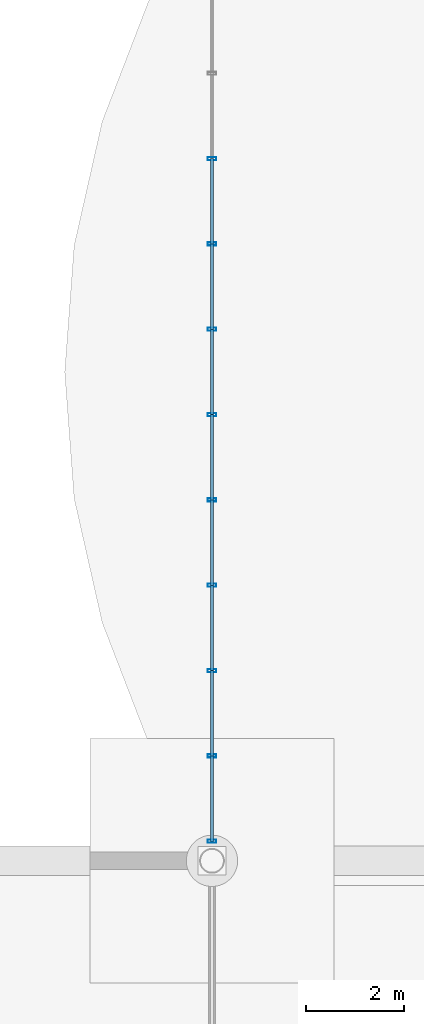
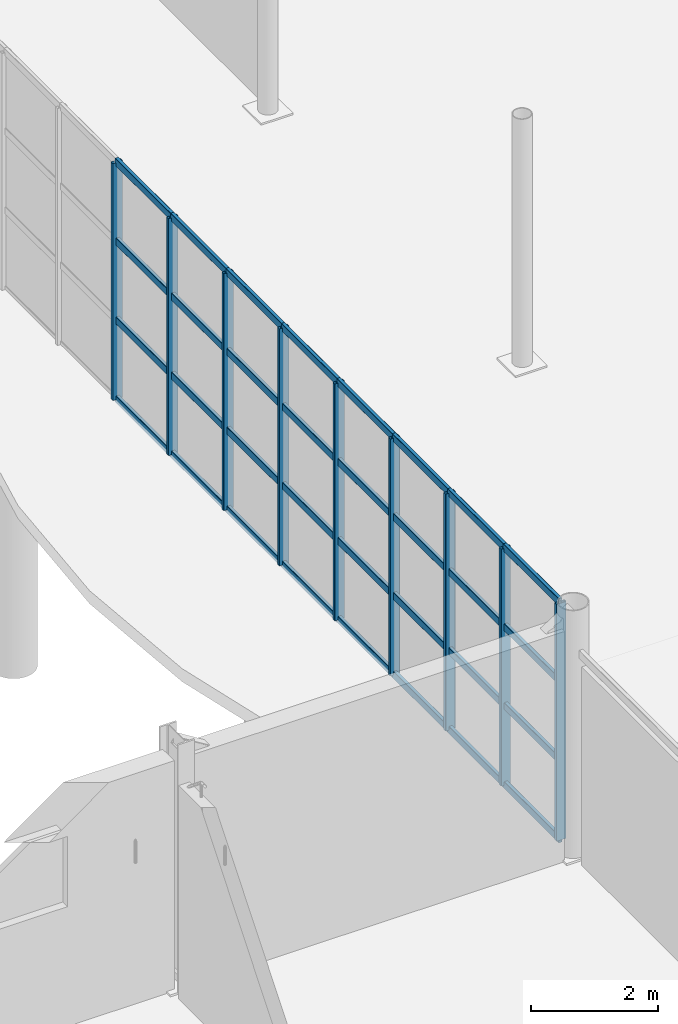
# One storey, part 36 of 101: 41 members, 1 element without a shape of its own.
"""IFC4 building model written with IfcOpenShell, lengths in metres."""

from ifc_helpers import new_model, si_unit, derived_unit, direction, frame, origin, origin_2d, place, context, subcontext, project, spatial, hollow_rectangle, extrude, material, material_profile, profile_set, type_object, element, aggregate, save


model = new_model("IFC4")

# Units and contexts
model_context = context("Model", 3, precision=1e-05, world=origin(), true_north=direction((0.0, 1.0)))
body_context = subcontext(model_context, "Body", "Model", "MODEL_VIEW")
ifc_project = project(units=[si_unit("LENGTHUNIT", "METRE"), si_unit("AREAUNIT", "SQUARE_METRE"), si_unit("VOLUMEUNIT", "CUBIC_METRE"), si_unit("PLANEANGLEUNIT", "RADIAN"), si_unit("MASSUNIT", "GRAM", prefix="KILO"), derived_unit("THERMALTRANSMITTANCEUNIT", [(si_unit("POWERUNIT", "WATT"), 1), (si_unit("LENGTHUNIT", "METRE"), -2), (si_unit("THERMODYNAMICTEMPERATUREUNIT", "KELVIN"), -1)])], contexts=[model_context])

# Site, building, storey
site_placement = place(None, origin())
site = spatial("IfcSite", under=ifc_project, at=site_placement, CompositionType="ELEMENT")
building_placement = place(site_placement, origin())
building = spatial("IfcBuilding", under=site, at=building_placement, Name="Keldorne Ridge Multi-Sports Centre", CompositionType="ELEMENT")
storey_placement = place(building_placement, origin())
storey = spatial("IfcBuildingStorey", under=building, at=storey_placement, Name="L00", CompositionType="ELEMENT", Elevation=0.0)

# Curtain wall, members
ifc_material = material(Name="Anodized aluminium", Category="aluminium")
curtain_wall_type = type_object("IfcCurtainWallType", Name="CW-CW-03", PredefinedType="NOTDEFINED", material=ifc_material)
curtain_wall_placement = place(storey_placement, origin())
curtain_wall = element("IfcCurtainWall", 1, at=curtain_wall_placement, inside=storey, type_object=curtain_wall_type, Name="Passage west courtyard curtain wall L00 083", PredefinedType="NOTDEFINED")
ifc_material_profile_1 = material_profile(ifc_material, hollow_rectangle(XDim=0.06494140625, YDim=0.179931640625, WallThickness=0.00439453125, InnerFilletRadius=0.00439453125, OuterFilletRadius=0.009033203125, at=origin_2d()), Name="ALU MULLION 180x65x4.5")
ifc_profile_set_1 = profile_set([ifc_material_profile_1], Name="Anodized aluminium")
member_type_1 = type_object("IfcMemberType", Name="MEM-ML-01", PredefinedType="MULLION", material=ifc_profile_set_1)
member_1_placement = place(storey_placement, frame((78.0, 68.363525390625, 0.0), z_axis=(0.0, 0.0, 1.0), x_axis=(0.0, 1.0, 0.0)))
member_1 = element("IfcMember", 2, at=member_1_placement, type_object=member_type_1, Name="CW-083 vertical mullion 4", PredefinedType="MULLION", context=body_context, shape_type="SweptSolid", body=[
    extrude(hollow_rectangle(XDim=0.06494140625, YDim=0.179931640625, WallThickness=0.00439453125, InnerFilletRadius=0.00439453125, OuterFilletRadius=0.009033203125, at=origin_2d()), origin(), (0.0, 0.0, 1.0), 4.550048828125),
])
member_2_placement = place(storey_placement, frame((78.0, 66.6181640625, 0.0), z_axis=(0.0, 0.0, 1.0), x_axis=(0.0, 1.0, 0.0)))
member_2 = element("IfcMember", 3, at=member_2_placement, type_object=member_type_1, Name="CW-083 vertical mullion 5", PredefinedType="MULLION", context=body_context, shape_type="SweptSolid", body=[
    extrude(hollow_rectangle(XDim=0.06494140625, YDim=0.179931640625, WallThickness=0.00439453125, InnerFilletRadius=0.00439453125, OuterFilletRadius=0.009033203125, at=origin_2d()), origin(), (0.0, 0.0, 1.0), 4.550048828125),
])
member_3_placement = place(storey_placement, frame((78.0, 64.872802734375, 0.0), z_axis=(0.0, 0.0, 1.0), x_axis=(0.0, 1.0, 0.0)))
member_3 = element("IfcMember", 4, at=member_3_placement, type_object=member_type_1, Name="CW-083 vertical mullion 6", PredefinedType="MULLION", context=body_context, shape_type="SweptSolid", body=[
    extrude(hollow_rectangle(XDim=0.06494140625, YDim=0.179931640625, WallThickness=0.00439453125, InnerFilletRadius=0.00439453125, OuterFilletRadius=0.009033203125, at=origin_2d()), origin(), (0.0, 0.0, 1.0), 4.550048828125),
])
member_4_placement = place(storey_placement, frame((78.0, 63.127197265625, 0.0), z_axis=(0.0, 0.0, 1.0), x_axis=(0.0, 1.0, 0.0)))
member_4 = element("IfcMember", 5, at=member_4_placement, type_object=member_type_1, Name="CW-083 vertical mullion 7", PredefinedType="MULLION", context=body_context, shape_type="SweptSolid", body=[
    extrude(hollow_rectangle(XDim=0.06494140625, YDim=0.179931640625, WallThickness=0.00439453125, InnerFilletRadius=0.00439453125, OuterFilletRadius=0.009033203125, at=origin_2d()), origin(), (0.0, 0.0, 1.0), 4.550048828125),
])
member_5_placement = place(storey_placement, frame((78.0, 61.3818359375, 0.0), z_axis=(0.0, 0.0, 1.0), x_axis=(0.0, 1.0, 0.0)))
member_5 = element("IfcMember", 6, at=member_5_placement, type_object=member_type_1, Name="CW-083 vertical mullion 8", PredefinedType="MULLION", context=body_context, shape_type="SweptSolid", body=[
    extrude(hollow_rectangle(XDim=0.06494140625, YDim=0.179931640625, WallThickness=0.00439453125, InnerFilletRadius=0.00439453125, OuterFilletRadius=0.009033203125, at=origin_2d()), origin(), (0.0, 0.0, 1.0), 4.550048828125),
])
member_6_placement = place(storey_placement, frame((78.0, 59.636474609375, 0.0), z_axis=(0.0, 0.0, 1.0), x_axis=(0.0, 1.0, 0.0)))
member_6 = element("IfcMember", 7, at=member_6_placement, type_object=member_type_1, Name="CW-083 vertical mullion 9", PredefinedType="MULLION", context=body_context, shape_type="SweptSolid", body=[
    extrude(hollow_rectangle(XDim=0.06494140625, YDim=0.179931640625, WallThickness=0.00439453125, InnerFilletRadius=0.00439453125, OuterFilletRadius=0.009033203125, at=origin_2d()), origin(), (0.0, 0.0, 1.0), 4.550048828125),
])
member_7_placement = place(storey_placement, frame((78.0, 57.890869140625, 0.0), z_axis=(0.0, 0.0, 1.0), x_axis=(0.0, 1.0, 0.0)))
member_7 = element("IfcMember", 8, at=member_7_placement, type_object=member_type_1, Name="CW-083 vertical mullion 10", PredefinedType="MULLION", context=body_context, shape_type="SweptSolid", body=[
    extrude(hollow_rectangle(XDim=0.06494140625, YDim=0.179931640625, WallThickness=0.00439453125, InnerFilletRadius=0.00439453125, OuterFilletRadius=0.009033203125, at=origin_2d()), origin(), (0.0, 0.0, 1.0), 4.550048828125),
])
member_8_placement = place(storey_placement, frame((78.0, 56.1455078125, 0.0), z_axis=(0.0, 0.0, 1.0), x_axis=(0.0, 1.0, 0.0)))
member_8 = element("IfcMember", 9, at=member_8_placement, type_object=member_type_1, Name="CW-083 vertical mullion 11", PredefinedType="MULLION", context=body_context, shape_type="SweptSolid", body=[
    extrude(hollow_rectangle(XDim=0.06494140625, YDim=0.179931640625, WallThickness=0.00439453125, InnerFilletRadius=0.00439453125, OuterFilletRadius=0.009033203125, at=origin_2d()), origin(), (0.0, 0.0, 1.0), 4.550048828125),
])
member_9_placement = place(storey_placement, frame((78.0, 54.39990234375, 0.0), z_axis=(0.0, 0.0, 1.0), x_axis=(0.0, 1.0, 0.0)))
member_9 = element("IfcMember", 10, at=member_9_placement, type_object=member_type_1, Name="CW-083 vertical mullion 12", PredefinedType="MULLION", context=body_context, shape_type="SweptSolid", body=[
    extrude(hollow_rectangle(XDim=0.06494140625, YDim=0.179931640625, WallThickness=0.00439453125, InnerFilletRadius=0.00439453125, OuterFilletRadius=0.009033203125, at=origin_2d()), origin(), (0.0, 0.0, 1.0), 4.550048828125),
])
ifc_material_profile_2 = material_profile(ifc_material, hollow_rectangle(XDim=0.06494140625, YDim=0.139892578125, WallThickness=0.00439453125, InnerFilletRadius=0.00439453125, OuterFilletRadius=0.009033203125, at=origin_2d()), Name="ALU TRANSOM 140x65x4.5")
ifc_profile_set_2 = profile_set([ifc_material_profile_2], Name="Anodized aluminium")
member_type_2 = type_object("IfcMemberType", Name="MEM-TR-01", PredefinedType="USERDEFINED", material=ifc_profile_set_2)
member_10_placement = place(storey_placement, frame((78.0, 68.363525390625, 0.0), z_axis=(0.0, -1.0, 0.0), x_axis=(1.0, 0.0, 0.0)))
member_10 = element("IfcMember", 11, at=member_10_placement, type_object=member_type_2, Name="CW-083 transom 4.1", ObjectType="TRANSOM", PredefinedType="USERDEFINED", context=body_context, shape_type="SweptSolid", body=[
    extrude(hollow_rectangle(XDim=0.06494140625, YDim=0.139892578125, WallThickness=0.00439453125, InnerFilletRadius=0.00439453125, OuterFilletRadius=0.009033203125, at=origin_2d()), origin(), (0.0, 0.0, 1.0), 1.745361328125),
])
member_11_placement = place(storey_placement, frame((78.0, 68.363525390625, 1.5166015625), z_axis=(0.0, -1.0, 0.0), x_axis=(1.0, 0.0, 0.0)))
member_11 = element("IfcMember", 12, at=member_11_placement, type_object=member_type_2, Name="CW-083 transom 4.2", ObjectType="TRANSOM", PredefinedType="USERDEFINED", context=body_context, shape_type="SweptSolid", body=[
    extrude(hollow_rectangle(XDim=0.06494140625, YDim=0.139892578125, WallThickness=0.00439453125, InnerFilletRadius=0.00439453125, OuterFilletRadius=0.009033203125, at=origin_2d()), origin(), (0.0, 0.0, 1.0), 1.745361328125),
])
member_12_placement = place(storey_placement, frame((78.0, 68.363525390625, 3.033203125), z_axis=(0.0, -1.0, 0.0), x_axis=(1.0, 0.0, 0.0)))
member_12 = element("IfcMember", 13, at=member_12_placement, type_object=member_type_2, Name="CW-083 transom 4.3", ObjectType="TRANSOM", PredefinedType="USERDEFINED", context=body_context, shape_type="SweptSolid", body=[
    extrude(hollow_rectangle(XDim=0.06494140625, YDim=0.139892578125, WallThickness=0.00439453125, InnerFilletRadius=0.00439453125, OuterFilletRadius=0.009033203125, at=origin_2d()), origin(), (0.0, 0.0, 1.0), 1.745361328125),
])
member_13_placement = place(storey_placement, frame((78.0, 68.363525390625, 4.550048828125), z_axis=(0.0, -1.0, 0.0), x_axis=(1.0, 0.0, 0.0)))
member_13 = element("IfcMember", 14, at=member_13_placement, type_object=member_type_2, Name="CW-083 transom 4.4", ObjectType="TRANSOM", PredefinedType="USERDEFINED", context=body_context, shape_type="SweptSolid", body=[
    extrude(hollow_rectangle(XDim=0.06494140625, YDim=0.139892578125, WallThickness=0.00439453125, InnerFilletRadius=0.00439453125, OuterFilletRadius=0.009033203125, at=origin_2d()), origin(), (0.0, 0.0, 1.0), 1.745361328125),
])
member_14_placement = place(storey_placement, frame((78.0, 66.6181640625, 0.0), z_axis=(0.0, -1.0, 0.0), x_axis=(1.0, 0.0, 0.0)))
member_14 = element("IfcMember", 15, at=member_14_placement, type_object=member_type_2, Name="CW-083 transom 5.1", ObjectType="TRANSOM", PredefinedType="USERDEFINED", context=body_context, shape_type="SweptSolid", body=[
    extrude(hollow_rectangle(XDim=0.06494140625, YDim=0.139892578125, WallThickness=0.00439453125, InnerFilletRadius=0.00439453125, OuterFilletRadius=0.009033203125, at=origin_2d()), origin(), (0.0, 0.0, 1.0), 1.745361328125),
])
member_15_placement = place(storey_placement, frame((78.0, 66.6181640625, 1.5166015625), z_axis=(0.0, -1.0, 0.0), x_axis=(1.0, 0.0, 0.0)))
member_15 = element("IfcMember", 16, at=member_15_placement, type_object=member_type_2, Name="CW-083 transom 5.2", ObjectType="TRANSOM", PredefinedType="USERDEFINED", context=body_context, shape_type="SweptSolid", body=[
    extrude(hollow_rectangle(XDim=0.06494140625, YDim=0.139892578125, WallThickness=0.00439453125, InnerFilletRadius=0.00439453125, OuterFilletRadius=0.009033203125, at=origin_2d()), origin(), (0.0, 0.0, 1.0), 1.745361328125),
])
member_16_placement = place(storey_placement, frame((78.0, 66.6181640625, 3.033203125), z_axis=(0.0, -1.0, 0.0), x_axis=(1.0, 0.0, 0.0)))
member_16 = element("IfcMember", 17, at=member_16_placement, type_object=member_type_2, Name="CW-083 transom 5.3", ObjectType="TRANSOM", PredefinedType="USERDEFINED", context=body_context, shape_type="SweptSolid", body=[
    extrude(hollow_rectangle(XDim=0.06494140625, YDim=0.139892578125, WallThickness=0.00439453125, InnerFilletRadius=0.00439453125, OuterFilletRadius=0.009033203125, at=origin_2d()), origin(), (0.0, 0.0, 1.0), 1.745361328125),
])
member_17_placement = place(storey_placement, frame((78.0, 66.6181640625, 4.550048828125), z_axis=(0.0, -1.0, 0.0), x_axis=(1.0, 0.0, 0.0)))
member_17 = element("IfcMember", 18, at=member_17_placement, type_object=member_type_2, Name="CW-083 transom 5.4", ObjectType="TRANSOM", PredefinedType="USERDEFINED", context=body_context, shape_type="SweptSolid", body=[
    extrude(hollow_rectangle(XDim=0.06494140625, YDim=0.139892578125, WallThickness=0.00439453125, InnerFilletRadius=0.00439453125, OuterFilletRadius=0.009033203125, at=origin_2d()), origin(), (0.0, 0.0, 1.0), 1.745361328125),
])
member_18_placement = place(storey_placement, frame((78.0, 64.872802734375, 0.0), z_axis=(0.0, -1.0, 0.0), x_axis=(1.0, 0.0, 0.0)))
member_18 = element("IfcMember", 19, at=member_18_placement, type_object=member_type_2, Name="CW-083 transom 6.1", ObjectType="TRANSOM", PredefinedType="USERDEFINED", context=body_context, shape_type="SweptSolid", body=[
    extrude(hollow_rectangle(XDim=0.06494140625, YDim=0.139892578125, WallThickness=0.00439453125, InnerFilletRadius=0.00439453125, OuterFilletRadius=0.009033203125, at=origin_2d()), origin(), (0.0, 0.0, 1.0), 1.74560546875),
])
member_19_placement = place(storey_placement, frame((78.0, 64.872802734375, 1.5166015625), z_axis=(0.0, -1.0, 0.0), x_axis=(1.0, 0.0, 0.0)))
member_19 = element("IfcMember", 20, at=member_19_placement, type_object=member_type_2, Name="CW-083 transom 6.2", ObjectType="TRANSOM", PredefinedType="USERDEFINED", context=body_context, shape_type="SweptSolid", body=[
    extrude(hollow_rectangle(XDim=0.06494140625, YDim=0.139892578125, WallThickness=0.00439453125, InnerFilletRadius=0.00439453125, OuterFilletRadius=0.009033203125, at=origin_2d()), origin(), (0.0, 0.0, 1.0), 1.74560546875),
])
member_20_placement = place(storey_placement, frame((78.0, 64.872802734375, 3.033203125), z_axis=(0.0, -1.0, 0.0), x_axis=(1.0, 0.0, 0.0)))
member_20 = element("IfcMember", 21, at=member_20_placement, type_object=member_type_2, Name="CW-083 transom 6.3", ObjectType="TRANSOM", PredefinedType="USERDEFINED", context=body_context, shape_type="SweptSolid", body=[
    extrude(hollow_rectangle(XDim=0.06494140625, YDim=0.139892578125, WallThickness=0.00439453125, InnerFilletRadius=0.00439453125, OuterFilletRadius=0.009033203125, at=origin_2d()), origin(), (0.0, 0.0, 1.0), 1.74560546875),
])
member_21_placement = place(storey_placement, frame((78.0, 64.872802734375, 4.550048828125), z_axis=(0.0, -1.0, 0.0), x_axis=(1.0, 0.0, 0.0)))
member_21 = element("IfcMember", 22, at=member_21_placement, type_object=member_type_2, Name="CW-083 transom 6.4", ObjectType="TRANSOM", PredefinedType="USERDEFINED", context=body_context, shape_type="SweptSolid", body=[
    extrude(hollow_rectangle(XDim=0.06494140625, YDim=0.139892578125, WallThickness=0.00439453125, InnerFilletRadius=0.00439453125, OuterFilletRadius=0.009033203125, at=origin_2d()), origin(), (0.0, 0.0, 1.0), 1.74560546875),
])
member_22_placement = place(storey_placement, frame((78.0, 63.127197265625, 0.0), z_axis=(0.0, -1.0, 0.0), x_axis=(1.0, 0.0, 0.0)))
member_22 = element("IfcMember", 23, at=member_22_placement, type_object=member_type_2, Name="CW-083 transom 7.1", ObjectType="TRANSOM", PredefinedType="USERDEFINED", context=body_context, shape_type="SweptSolid", body=[
    extrude(hollow_rectangle(XDim=0.06494140625, YDim=0.139892578125, WallThickness=0.00439453125, InnerFilletRadius=0.00439453125, OuterFilletRadius=0.009033203125, at=origin_2d()), origin(), (0.0, 0.0, 1.0), 1.745361328125),
])
member_23_placement = place(storey_placement, frame((78.0, 63.127197265625, 1.5166015625), z_axis=(0.0, -1.0, 0.0), x_axis=(1.0, 0.0, 0.0)))
member_23 = element("IfcMember", 24, at=member_23_placement, type_object=member_type_2, Name="CW-083 transom 7.2", ObjectType="TRANSOM", PredefinedType="USERDEFINED", context=body_context, shape_type="SweptSolid", body=[
    extrude(hollow_rectangle(XDim=0.06494140625, YDim=0.139892578125, WallThickness=0.00439453125, InnerFilletRadius=0.00439453125, OuterFilletRadius=0.009033203125, at=origin_2d()), origin(), (0.0, 0.0, 1.0), 1.745361328125),
])
member_24_placement = place(storey_placement, frame((78.0, 63.127197265625, 3.033203125), z_axis=(0.0, -1.0, 0.0), x_axis=(1.0, 0.0, 0.0)))
member_24 = element("IfcMember", 25, at=member_24_placement, type_object=member_type_2, Name="CW-083 transom 7.3", ObjectType="TRANSOM", PredefinedType="USERDEFINED", context=body_context, shape_type="SweptSolid", body=[
    extrude(hollow_rectangle(XDim=0.06494140625, YDim=0.139892578125, WallThickness=0.00439453125, InnerFilletRadius=0.00439453125, OuterFilletRadius=0.009033203125, at=origin_2d()), origin(), (0.0, 0.0, 1.0), 1.745361328125),
])
member_25_placement = place(storey_placement, frame((78.0, 63.127197265625, 4.550048828125), z_axis=(0.0, -1.0, 0.0), x_axis=(1.0, 0.0, 0.0)))
member_25 = element("IfcMember", 26, at=member_25_placement, type_object=member_type_2, Name="CW-083 transom 7.4", ObjectType="TRANSOM", PredefinedType="USERDEFINED", context=body_context, shape_type="SweptSolid", body=[
    extrude(hollow_rectangle(XDim=0.06494140625, YDim=0.139892578125, WallThickness=0.00439453125, InnerFilletRadius=0.00439453125, OuterFilletRadius=0.009033203125, at=origin_2d()), origin(), (0.0, 0.0, 1.0), 1.745361328125),
])
member_26_placement = place(storey_placement, frame((78.0, 61.3818359375, 0.0), z_axis=(0.0, -1.0, 0.0), x_axis=(1.0, 0.0, 0.0)))
member_26 = element("IfcMember", 27, at=member_26_placement, type_object=member_type_2, Name="CW-083 transom 8.1", ObjectType="TRANSOM", PredefinedType="USERDEFINED", context=body_context, shape_type="SweptSolid", body=[
    extrude(hollow_rectangle(XDim=0.06494140625, YDim=0.139892578125, WallThickness=0.00439453125, InnerFilletRadius=0.00439453125, OuterFilletRadius=0.009033203125, at=origin_2d()), origin(), (0.0, 0.0, 1.0), 1.745361328125),
])
member_27_placement = place(storey_placement, frame((78.0, 61.3818359375, 1.5166015625), z_axis=(0.0, -1.0, 0.0), x_axis=(1.0, 0.0, 0.0)))
member_27 = element("IfcMember", 28, at=member_27_placement, type_object=member_type_2, Name="CW-083 transom 8.2", ObjectType="TRANSOM", PredefinedType="USERDEFINED", context=body_context, shape_type="SweptSolid", body=[
    extrude(hollow_rectangle(XDim=0.06494140625, YDim=0.139892578125, WallThickness=0.00439453125, InnerFilletRadius=0.00439453125, OuterFilletRadius=0.009033203125, at=origin_2d()), origin(), (0.0, 0.0, 1.0), 1.745361328125),
])
member_28_placement = place(storey_placement, frame((78.0, 61.3818359375, 3.033203125), z_axis=(0.0, -1.0, 0.0), x_axis=(1.0, 0.0, 0.0)))
member_28 = element("IfcMember", 29, at=member_28_placement, type_object=member_type_2, Name="CW-083 transom 8.3", ObjectType="TRANSOM", PredefinedType="USERDEFINED", context=body_context, shape_type="SweptSolid", body=[
    extrude(hollow_rectangle(XDim=0.06494140625, YDim=0.139892578125, WallThickness=0.00439453125, InnerFilletRadius=0.00439453125, OuterFilletRadius=0.009033203125, at=origin_2d()), origin(), (0.0, 0.0, 1.0), 1.745361328125),
])
member_29_placement = place(storey_placement, frame((78.0, 61.3818359375, 4.550048828125), z_axis=(0.0, -1.0, 0.0), x_axis=(1.0, 0.0, 0.0)))
member_29 = element("IfcMember", 30, at=member_29_placement, type_object=member_type_2, Name="CW-083 transom 8.4", ObjectType="TRANSOM", PredefinedType="USERDEFINED", context=body_context, shape_type="SweptSolid", body=[
    extrude(hollow_rectangle(XDim=0.06494140625, YDim=0.139892578125, WallThickness=0.00439453125, InnerFilletRadius=0.00439453125, OuterFilletRadius=0.009033203125, at=origin_2d()), origin(), (0.0, 0.0, 1.0), 1.745361328125),
])
member_30_placement = place(storey_placement, frame((78.0, 59.636474609375, 0.0), z_axis=(0.0, -1.0, 0.0), x_axis=(1.0, 0.0, 0.0)))
member_30 = element("IfcMember", 31, at=member_30_placement, type_object=member_type_2, Name="CW-083 transom 9.1", ObjectType="TRANSOM", PredefinedType="USERDEFINED", context=body_context, shape_type="SweptSolid", body=[
    extrude(hollow_rectangle(XDim=0.06494140625, YDim=0.139892578125, WallThickness=0.00439453125, InnerFilletRadius=0.00439453125, OuterFilletRadius=0.009033203125, at=origin_2d()), origin(), (0.0, 0.0, 1.0), 1.74560546875),
])
member_31_placement = place(storey_placement, frame((78.0, 59.636474609375, 1.5166015625), z_axis=(0.0, -1.0, 0.0), x_axis=(1.0, 0.0, 0.0)))
member_31 = element("IfcMember", 32, at=member_31_placement, type_object=member_type_2, Name="CW-083 transom 9.2", ObjectType="TRANSOM", PredefinedType="USERDEFINED", context=body_context, shape_type="SweptSolid", body=[
    extrude(hollow_rectangle(XDim=0.06494140625, YDim=0.139892578125, WallThickness=0.00439453125, InnerFilletRadius=0.00439453125, OuterFilletRadius=0.009033203125, at=origin_2d()), origin(), (0.0, 0.0, 1.0), 1.74560546875),
])
member_32_placement = place(storey_placement, frame((78.0, 59.636474609375, 3.033203125), z_axis=(0.0, -1.0, 0.0), x_axis=(1.0, 0.0, 0.0)))
member_32 = element("IfcMember", 33, at=member_32_placement, type_object=member_type_2, Name="CW-083 transom 9.3", ObjectType="TRANSOM", PredefinedType="USERDEFINED", context=body_context, shape_type="SweptSolid", body=[
    extrude(hollow_rectangle(XDim=0.06494140625, YDim=0.139892578125, WallThickness=0.00439453125, InnerFilletRadius=0.00439453125, OuterFilletRadius=0.009033203125, at=origin_2d()), origin(), (0.0, 0.0, 1.0), 1.74560546875),
])
member_33_placement = place(storey_placement, frame((78.0, 59.636474609375, 4.550048828125), z_axis=(0.0, -1.0, 0.0), x_axis=(1.0, 0.0, 0.0)))
member_33 = element("IfcMember", 34, at=member_33_placement, type_object=member_type_2, Name="CW-083 transom 9.4", ObjectType="TRANSOM", PredefinedType="USERDEFINED", context=body_context, shape_type="SweptSolid", body=[
    extrude(hollow_rectangle(XDim=0.06494140625, YDim=0.139892578125, WallThickness=0.00439453125, InnerFilletRadius=0.00439453125, OuterFilletRadius=0.009033203125, at=origin_2d()), origin(), (0.0, 0.0, 1.0), 1.74560546875),
])
member_34_placement = place(storey_placement, frame((78.0, 57.890869140625, 0.0), z_axis=(0.0, -1.0, 0.0), x_axis=(1.0, 0.0, 0.0)))
member_34 = element("IfcMember", 35, at=member_34_placement, type_object=member_type_2, Name="CW-083 transom 10.1", ObjectType="TRANSOM", PredefinedType="USERDEFINED", context=body_context, shape_type="SweptSolid", body=[
    extrude(hollow_rectangle(XDim=0.06494140625, YDim=0.139892578125, WallThickness=0.00439453125, InnerFilletRadius=0.00439453125, OuterFilletRadius=0.009033203125, at=origin_2d()), origin(), (0.0, 0.0, 1.0), 1.745361328125),
])
member_35_placement = place(storey_placement, frame((78.0, 57.890869140625, 1.5166015625), z_axis=(0.0, -1.0, 0.0), x_axis=(1.0, 0.0, 0.0)))
member_35 = element("IfcMember", 36, at=member_35_placement, type_object=member_type_2, Name="CW-083 transom 10.2", ObjectType="TRANSOM", PredefinedType="USERDEFINED", context=body_context, shape_type="SweptSolid", body=[
    extrude(hollow_rectangle(XDim=0.06494140625, YDim=0.139892578125, WallThickness=0.00439453125, InnerFilletRadius=0.00439453125, OuterFilletRadius=0.009033203125, at=origin_2d()), origin(), (0.0, 0.0, 1.0), 1.745361328125),
])
member_36_placement = place(storey_placement, frame((78.0, 57.890869140625, 3.033203125), z_axis=(0.0, -1.0, 0.0), x_axis=(1.0, 0.0, 0.0)))
member_36 = element("IfcMember", 37, at=member_36_placement, type_object=member_type_2, Name="CW-083 transom 10.3", ObjectType="TRANSOM", PredefinedType="USERDEFINED", context=body_context, shape_type="SweptSolid", body=[
    extrude(hollow_rectangle(XDim=0.06494140625, YDim=0.139892578125, WallThickness=0.00439453125, InnerFilletRadius=0.00439453125, OuterFilletRadius=0.009033203125, at=origin_2d()), origin(), (0.0, 0.0, 1.0), 1.745361328125),
])
member_37_placement = place(storey_placement, frame((78.0, 57.890869140625, 4.550048828125), z_axis=(0.0, -1.0, 0.0), x_axis=(1.0, 0.0, 0.0)))
member_37 = element("IfcMember", 38, at=member_37_placement, type_object=member_type_2, Name="CW-083 transom 10.4", ObjectType="TRANSOM", PredefinedType="USERDEFINED", context=body_context, shape_type="SweptSolid", body=[
    extrude(hollow_rectangle(XDim=0.06494140625, YDim=0.139892578125, WallThickness=0.00439453125, InnerFilletRadius=0.00439453125, OuterFilletRadius=0.009033203125, at=origin_2d()), origin(), (0.0, 0.0, 1.0), 1.745361328125),
])
member_38_placement = place(storey_placement, frame((78.0, 56.1455078125, 0.0), z_axis=(0.0, -1.0, 0.0), x_axis=(1.0, 0.0, 0.0)))
member_38 = element("IfcMember", 39, at=member_38_placement, type_object=member_type_2, Name="CW-083 transom 11.1", ObjectType="TRANSOM", PredefinedType="USERDEFINED", context=body_context, shape_type="SweptSolid", body=[
    extrude(hollow_rectangle(XDim=0.06494140625, YDim=0.139892578125, WallThickness=0.00439453125, InnerFilletRadius=0.00439453125, OuterFilletRadius=0.009033203125, at=origin_2d()), origin(), (0.0, 0.0, 1.0), 1.74560546875),
])
member_39_placement = place(storey_placement, frame((78.0, 56.1455078125, 1.5166015625), z_axis=(0.0, -1.0, 0.0), x_axis=(1.0, 0.0, 0.0)))
member_39 = element("IfcMember", 40, at=member_39_placement, type_object=member_type_2, Name="CW-083 transom 11.2", ObjectType="TRANSOM", PredefinedType="USERDEFINED", context=body_context, shape_type="SweptSolid", body=[
    extrude(hollow_rectangle(XDim=0.06494140625, YDim=0.139892578125, WallThickness=0.00439453125, InnerFilletRadius=0.00439453125, OuterFilletRadius=0.009033203125, at=origin_2d()), origin(), (0.0, 0.0, 1.0), 1.74560546875),
])
member_40_placement = place(storey_placement, frame((78.0, 56.1455078125, 3.033203125), z_axis=(0.0, -1.0, 0.0), x_axis=(1.0, 0.0, 0.0)))
member_40 = element("IfcMember", 41, at=member_40_placement, type_object=member_type_2, Name="CW-083 transom 11.3", ObjectType="TRANSOM", PredefinedType="USERDEFINED", context=body_context, shape_type="SweptSolid", body=[
    extrude(hollow_rectangle(XDim=0.06494140625, YDim=0.139892578125, WallThickness=0.00439453125, InnerFilletRadius=0.00439453125, OuterFilletRadius=0.009033203125, at=origin_2d()), origin(), (0.0, 0.0, 1.0), 1.74560546875),
])
member_41_placement = place(storey_placement, frame((78.0, 56.1455078125, 4.550048828125), z_axis=(0.0, -1.0, 0.0), x_axis=(1.0, 0.0, 0.0)))
member_41 = element("IfcMember", 42, at=member_41_placement, type_object=member_type_2, Name="CW-083 transom 11.4", ObjectType="TRANSOM", PredefinedType="USERDEFINED", context=body_context, shape_type="SweptSolid", body=[
    extrude(hollow_rectangle(XDim=0.06494140625, YDim=0.139892578125, WallThickness=0.00439453125, InnerFilletRadius=0.00439453125, OuterFilletRadius=0.009033203125, at=origin_2d()), origin(), (0.0, 0.0, 1.0), 1.74560546875),
])
aggregate(curtain_wall, [member_1, member_2, member_3, member_4, member_5, member_6, member_7, member_8, member_9, member_10, member_11, member_12, member_13, member_14, member_15, member_16, member_17, member_18, member_19, member_20, member_21, member_22, member_23, member_24, member_25, member_26, member_27, member_28, member_29, member_30, member_31, member_32, member_33, member_34, member_35, member_36, member_37, member_38, member_39, member_40, member_41])

save(model, "model.ifc")
